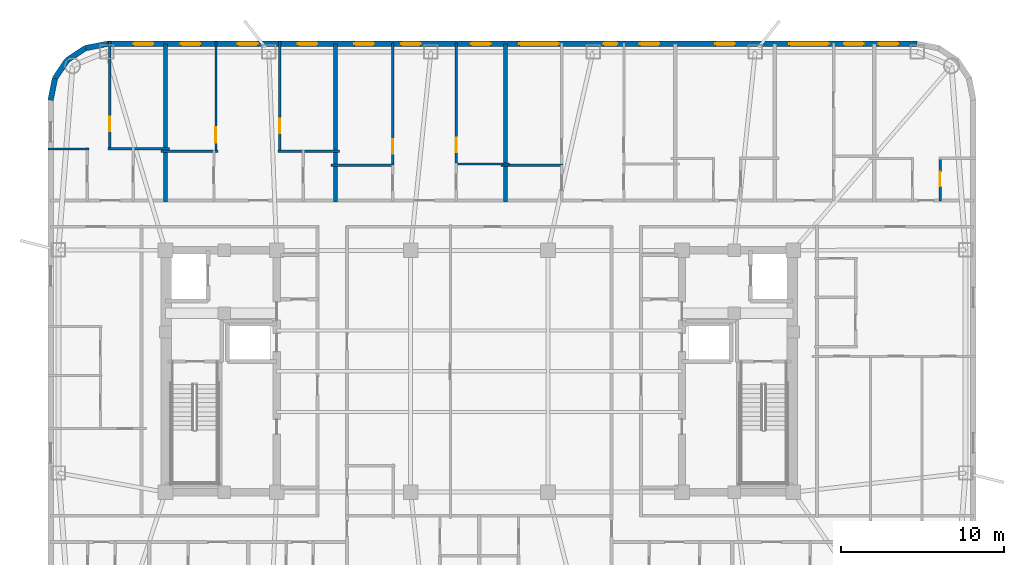
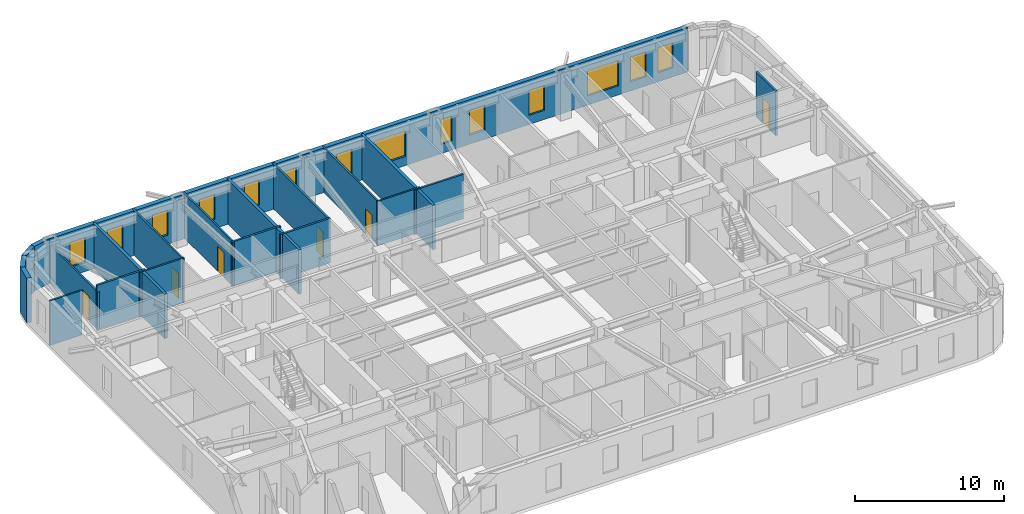
# One storey, part 8 of 11: 21 walls, 14 windows, 6 doors, 20 openings.
"""IFC4 building model written with IfcOpenShell, lengths in metres."""

from ifc_helpers import new_model, si_unit, direction, frame, frame_2d, origin, place, context, subcontext, project, spatial, rectangle, extrude, material, layer, layer_set, type_object, element, fill, save


model = new_model("IFC4")

# Units and contexts
model_context = context("Model", 3, precision=1e-05, world=origin(), true_north=direction((0.0, 1.0)))
body_context = subcontext(model_context, "Body", "Model", "MODEL_VIEW")
ifc_project = project(units=[si_unit("LENGTHUNIT", "METRE"), si_unit("AREAUNIT", "SQUARE_METRE"), si_unit("VOLUMEUNIT", "CUBIC_METRE"), si_unit("PLANEANGLEUNIT", "RADIAN"), si_unit("MASSUNIT", "GRAM", prefix="KILO")], contexts=[model_context])

# Site, building, storey
site_placement = place(None, origin())
site = spatial("IfcSite", under=ifc_project, at=site_placement, CompositionType="ELEMENT")
building_placement = place(site_placement, origin())
building = spatial("IfcBuilding", under=site, at=building_placement, Name="Voryun Gate Residences", CompositionType="ELEMENT")
storey_placement = place(building_placement, frame((0.0, 0.0, 227.5)))
storey = spatial("IfcBuildingStorey", under=building, at=storey_placement, Name="L56", CompositionType="ELEMENT", Elevation=227.5)

# Walls
ifc_material_1 = material(Name="Charcoal terracotta masonry", Category="masonry")
ifc_layer_1 = layer(ifc_material_1, 0.340087890625, Name="W_EXT_TERRACOTTA_340")
ifc_layer_set_1 = layer_set([ifc_layer_1], Name="Charcoal terracotta masonry")
wall_type_1 = type_object("IfcWallType", Name="W_EXT_TERRACOTTA_340", PredefinedType="ELEMENTEDWALL", material=ifc_layer_set_1)
wall_1_placement = place(storey_placement, frame((-26.22998046875, 16.583251953125, 0.0), z_axis=(0.0, 0.0, 1.0), x_axis=(0.195075878998, 0.980788153188, 0.0)))
element("IfcWall", 1, at=wall_1_placement, inside=storey, type_object=wall_type_1, Name="Exterior wall WEXT-L56-07", PredefinedType="ELEMENTEDWALL", context=body_context, shape_type="SweptSolid", body=[
    extrude(rectangle(XDim=1.354248046875, YDim=0.340087890625, at=frame_2d((0.67724609375, 0.0))), origin(), (0.0, 0.0, 1.0), 3.64990234375),
])
for number, where, z_axis, x_axis, name in (
    (2, (-25.9658203125, 17.911376953125, 0.0), (0.0, 0.0, 1.0), (0.555669034571, 0.831403586725, 0.0), "Exterior wall WEXT-L56-08"),
    (3, (-25.222900390625, 19.02294921875, 0.0), (0.0, 0.0, 1.0), (0.831403586725, 0.555669034571, 0.0), "Exterior wall WEXT-L56-09"),
):
    element("IfcWall", number, at=place(storey_placement, frame(where, z_axis=z_axis, x_axis=x_axis)), inside=storey, type_object=wall_type_1, Name=name, PredefinedType="ELEMENTEDWALL", context=body_context, shape_type="SweptSolid", body=[
        extrude(rectangle(XDim=1.3369140625, YDim=0.340087890625, at=frame_2d((0.66845703125, 0.0))), origin(), (0.0, 0.0, 1.0), 3.64990234375),
    ])
wall_2_placement = place(storey_placement, frame((-24.111328125, 19.765869140625, 0.0), z_axis=(0.0, 0.0, 1.0), x_axis=(0.980788153188, 0.195075878998, 0.0)))
element("IfcWall", 4, at=wall_2_placement, inside=storey, type_object=wall_type_1, Name="Exterior wall WEXT-L56-10", PredefinedType="ELEMENTEDWALL", context=body_context, shape_type="SweptSolid", body=[
    extrude(rectangle(XDim=1.354248046875, YDim=0.340087890625, at=frame_2d((0.67724609375, 0.0))), origin(), (0.0, 0.0, 1.0), 3.64990234375),
])

# Wall, openings, windows
wall_3_placement = place(storey_placement, frame((-22.783203125, 20.030029296875, 0.0), z_axis=(0.0, 0.0, 1.0), x_axis=(1.0, 0.0, 0.0)))
wall_3 = element("IfcWall", 5, at=wall_3_placement, inside=storey, type_object=wall_type_1, Name="Exterior wall WEXT-L56-11", PredefinedType="ELEMENTEDWALL", context=body_context, shape_type="SweptSolid", body=[
    extrude(rectangle(XDim=49.56640625, YDim=0.340087890625, at=frame_2d((24.783203125, 0.0))), origin(), (0.0, 0.0, 1.0), 3.64990234375),
])
opening_1_placement = place(wall_3_placement, frame((25.2333984375, 0.0, 0.75)))
opening_1 = element("IfcOpeningElement", 6, at=opening_1_placement, cuts=wall_3, Name="Opening WN2", PredefinedType="OPENING", context=body_context, shape_type="SweptSolid", body=[
    extrude(rectangle(XDim=2.39990234375, YDim=2.10009765625, at=frame_2d((1.199951171875, 1.050048828125))), frame((0.0, 0.179931640625, 0.0), z_axis=(0.0, -1.0, 0.0), x_axis=(1.0, 0.0, 0.0)), (0.0, 0.0, 1.0), 0.360107421875),
])
opening_2_placement = place(wall_3_placement, frame((41.755615234375, 0.0, 0.75)))
opening_2 = element("IfcOpeningElement", 7, at=opening_2_placement, cuts=wall_3, Name="Opening WN2", PredefinedType="OPENING", context=body_context, shape_type="SweptSolid", body=[
    extrude(rectangle(XDim=2.39990234375, YDim=2.10009765625, at=frame_2d((1.199951171875, 1.050048828125))), frame((0.0, 0.179931640625, 0.0), z_axis=(0.0, -1.0, 0.0), x_axis=(1.0, 0.0, 0.0)), (0.0, 0.0, 1.0), 0.360107421875),
])
opening_3_placement = place(wall_3_placement, frame((1.63671875, 0.0, 0.75)))
opening_3 = element("IfcOpeningElement", 8, at=opening_3_placement, cuts=wall_3, Name="Opening WN6", PredefinedType="OPENING", context=body_context, shape_type="SweptSolid", body=[
    extrude(rectangle(XDim=1.199951171875, YDim=2.050048828125, at=frame_2d((0.60009765625, 1.02490234375))), frame((0.0, 0.179931640625, 0.0), z_axis=(0.0, -1.0, 0.0), x_axis=(1.0, 0.0, 0.0)), (0.0, 0.0, 1.0), 0.360107421875),
])
opening_4_placement = place(wall_3_placement, frame((8.019287109375, 0.0, 0.75)))
opening_4 = element("IfcOpeningElement", 9, at=opening_4_placement, cuts=wall_3, Name="Opening WN6", PredefinedType="OPENING", context=body_context, shape_type="SweptSolid", body=[
    extrude(rectangle(XDim=1.199951171875, YDim=2.050048828125, at=frame_2d((0.60009765625, 1.02490234375))), frame((0.0, 0.179931640625, 0.0), z_axis=(0.0, -1.0, 0.0), x_axis=(1.0, 0.0, 0.0)), (0.0, 0.0, 1.0), 0.360107421875),
])
opening_5_placement = place(wall_3_placement, frame((4.5244140625, 0.0, 0.75)))
opening_5 = element("IfcOpeningElement", 10, at=opening_5_placement, cuts=wall_3, Name="Opening WN6", PredefinedType="OPENING", context=body_context, shape_type="SweptSolid", body=[
    extrude(rectangle(XDim=1.199951171875, YDim=2.050048828125, at=frame_2d((0.60009765625, 1.02490234375))), frame((0.0, 0.179931640625, 0.0), z_axis=(0.0, -1.0, 0.0), x_axis=(1.0, 0.0, 0.0)), (0.0, 0.0, 1.0), 0.360107421875),
])
opening_6_placement = place(wall_3_placement, frame((11.67822265625, 0.0, 0.75)))
opening_6 = element("IfcOpeningElement", 11, at=opening_6_placement, cuts=wall_3, Name="Opening WN6", PredefinedType="OPENING", context=body_context, shape_type="SweptSolid", body=[
    extrude(rectangle(XDim=1.199951171875, YDim=2.050048828125, at=frame_2d((0.60009765625, 1.02490234375))), frame((0.0, 0.179931640625, 0.0), z_axis=(0.0, -1.0, 0.0), x_axis=(1.0, 0.0, 0.0)), (0.0, 0.0, 1.0), 0.360107421875),
])
opening_7_placement = place(wall_3_placement, frame((17.993408203125, 0.0, 0.75)))
opening_7 = element("IfcOpeningElement", 12, at=opening_7_placement, cuts=wall_3, Name="Opening WN6", PredefinedType="OPENING", context=body_context, shape_type="SweptSolid", body=[
    extrude(rectangle(XDim=1.199951171875, YDim=2.050048828125, at=frame_2d((0.60009765625, 1.02490234375))), frame((0.0, 0.179931640625, 0.0), z_axis=(0.0, -1.0, 0.0), x_axis=(1.0, 0.0, 0.0)), (0.0, 0.0, 1.0), 0.360107421875),
])
opening_8_placement = place(wall_3_placement, frame((15.13818359375, 0.0, 0.75)))
opening_8 = element("IfcOpeningElement", 13, at=opening_8_placement, cuts=wall_3, Name="Opening WN6", PredefinedType="OPENING", context=body_context, shape_type="SweptSolid", body=[
    extrude(rectangle(XDim=1.199951171875, YDim=2.050048828125, at=frame_2d((0.60009765625, 1.02490234375))), frame((0.0, 0.179931640625, 0.0), z_axis=(0.0, -1.0, 0.0), x_axis=(1.0, 0.0, 0.0)), (0.0, 0.0, 1.0), 0.360107421875),
])
opening_9_placement = place(wall_3_placement, frame((22.2783203125, 0.0, 0.75)))
opening_9 = element("IfcOpeningElement", 14, at=opening_9_placement, cuts=wall_3, Name="Opening WN6", PredefinedType="OPENING", context=body_context, shape_type="SweptSolid", body=[
    extrude(rectangle(XDim=1.199951171875, YDim=2.050048828125, at=frame_2d((0.60009765625, 1.02490234375))), frame((0.0, 0.179931640625, 0.0), z_axis=(0.0, -1.0, 0.0), x_axis=(1.0, 0.0, 0.0)), (0.0, 0.0, 1.0), 0.360107421875),
])
opening_10_placement = place(wall_3_placement, frame((30.38427734375, 0.0, 0.75)))
opening_10 = element("IfcOpeningElement", 15, at=opening_10_placement, cuts=wall_3, Name="Opening WN9", PredefinedType="OPENING", context=body_context, shape_type="SweptSolid", body=[
    extrude(rectangle(XDim=0.85009765625, YDim=2.050048828125, at=frame_2d((0.425048828125, 1.02490234375))), frame((0.0, 0.179931640625, 0.0), z_axis=(0.0, -1.0, 0.0), x_axis=(1.0, 0.0, 0.0)), (0.0, 0.0, 1.0), 0.360107421875),
])
opening_11_placement = place(wall_3_placement, frame((32.603271484375, 0.0, 0.75)))
opening_11 = element("IfcOpeningElement", 16, at=opening_11_placement, cuts=wall_3, Name="Opening WN6", PredefinedType="OPENING", context=body_context, shape_type="SweptSolid", body=[
    extrude(rectangle(XDim=1.199951171875, YDim=2.050048828125, at=frame_2d((0.60009765625, 1.02490234375))), frame((0.0, 0.179931640625, 0.0), z_axis=(0.0, -1.0, 0.0), x_axis=(1.0, 0.0, 0.0)), (0.0, 0.0, 1.0), 0.360107421875),
])
opening_12_placement = place(wall_3_placement, frame((37.222900390625, 0.0, 0.75)))
opening_12 = element("IfcOpeningElement", 17, at=opening_12_placement, cuts=wall_3, Name="Opening WN6", PredefinedType="OPENING", context=body_context, shape_type="SweptSolid", body=[
    extrude(rectangle(XDim=1.199951171875, YDim=2.050048828125, at=frame_2d((0.60009765625, 1.02490234375))), frame((0.0, 0.179931640625, 0.0), z_axis=(0.0, -1.0, 0.0), x_axis=(1.0, 0.0, 0.0)), (0.0, 0.0, 1.0), 0.360107421875),
])
opening_13_placement = place(wall_3_placement, frame((45.098876953125, 0.0, 0.75)))
opening_13 = element("IfcOpeningElement", 18, at=opening_13_placement, cuts=wall_3, Name="Opening WN6", PredefinedType="OPENING", context=body_context, shape_type="SweptSolid", body=[
    extrude(rectangle(XDim=1.199951171875, YDim=2.050048828125, at=frame_2d((0.60009765625, 1.02490234375))), frame((0.0, 0.179931640625, 0.0), z_axis=(0.0, -1.0, 0.0), x_axis=(1.0, 0.0, 0.0)), (0.0, 0.0, 1.0), 0.360107421875),
])
opening_14_placement = place(wall_3_placement, frame((47.208984375, 0.0, 0.75)))
opening_14 = element("IfcOpeningElement", 19, at=opening_14_placement, cuts=wall_3, Name="Opening WN6", PredefinedType="OPENING", context=body_context, shape_type="SweptSolid", body=[
    extrude(rectangle(XDim=1.199951171875, YDim=2.050048828125, at=frame_2d((0.60009765625, 1.02490234375))), frame((0.0, 0.179931640625, 0.0), z_axis=(0.0, -1.0, 0.0), x_axis=(1.0, 0.0, 0.0)), (0.0, 0.0, 1.0), 0.360107421875),
])
ifc_material_2 = material(Name="Laminated low-E glass", Category="glass")
window_type_1 = type_object("IfcWindowType", Name="WN_POD_SLOT_1200", PartitioningType="SINGLE_PANEL", PredefinedType="WINDOW", material=ifc_material_2)
window_1_placement = place(opening_3_placement, origin())
window_1 = element("IfcWindow", 20, at=window_1_placement, inside=storey, type_object=window_type_1, Name="Window WN-L56-DWFIX-02", OverallHeight=2.050048828125, OverallWidth=1.199951171875, PartitioningType="SINGLE_PANEL", PredefinedType="WINDOW", context=body_context, shape_type="SweptSolid", body=[
    extrude(rectangle(XDim=1.199951171875, YDim=2.050048828125, at=frame_2d((0.60009765625, 1.02490234375))), frame((0.0, 0.030029296875, 0.0), z_axis=(0.0, -1.0, 0.0), x_axis=(1.0, 0.0, 0.0)), (0.0, 0.0, 1.0), 0.06005859375),
])
fill(opening_3, window_1)
window_2_placement = place(opening_4_placement, origin())
window_2 = element("IfcWindow", 21, at=window_2_placement, inside=storey, type_object=window_type_1, Name="Window WN-L56-DWFIX-03", OverallHeight=2.050048828125, OverallWidth=1.199951171875, PartitioningType="SINGLE_PANEL", PredefinedType="WINDOW", context=body_context, shape_type="SweptSolid", body=[
    extrude(rectangle(XDim=1.199951171875, YDim=2.050048828125, at=frame_2d((0.60009765625, 1.02490234375))), frame((0.0, 0.030029296875, 0.0), z_axis=(0.0, -1.0, 0.0), x_axis=(1.0, 0.0, 0.0)), (0.0, 0.0, 1.0), 0.06005859375),
])
fill(opening_4, window_2)
window_3_placement = place(opening_5_placement, origin())
window_3 = element("IfcWindow", 22, at=window_3_placement, inside=storey, type_object=window_type_1, Name="Window WN-L56-DWFIX-04", OverallHeight=2.050048828125, OverallWidth=1.199951171875, PartitioningType="SINGLE_PANEL", PredefinedType="WINDOW", context=body_context, shape_type="SweptSolid", body=[
    extrude(rectangle(XDim=1.199951171875, YDim=2.050048828125, at=frame_2d((0.60009765625, 1.02490234375))), frame((0.0, 0.030029296875, 0.0), z_axis=(0.0, -1.0, 0.0), x_axis=(1.0, 0.0, 0.0)), (0.0, 0.0, 1.0), 0.06005859375),
])
fill(opening_5, window_3)
window_4_placement = place(opening_6_placement, origin())
window_4 = element("IfcWindow", 23, at=window_4_placement, inside=storey, type_object=window_type_1, Name="Window WN-L56-DWFIX-05", OverallHeight=2.050048828125, OverallWidth=1.199951171875, PartitioningType="SINGLE_PANEL", PredefinedType="WINDOW", context=body_context, shape_type="SweptSolid", body=[
    extrude(rectangle(XDim=1.199951171875, YDim=2.050048828125, at=frame_2d((0.60009765625, 1.02490234375))), frame((0.0, 0.030029296875, 0.0), z_axis=(0.0, -1.0, 0.0), x_axis=(1.0, 0.0, 0.0)), (0.0, 0.0, 1.0), 0.06005859375),
])
fill(opening_6, window_4)
window_5_placement = place(opening_7_placement, origin())
window_5 = element("IfcWindow", 24, at=window_5_placement, inside=storey, type_object=window_type_1, Name="Window WN-L56-DWFIX-06", OverallHeight=2.050048828125, OverallWidth=1.199951171875, PartitioningType="SINGLE_PANEL", PredefinedType="WINDOW", context=body_context, shape_type="SweptSolid", body=[
    extrude(rectangle(XDim=1.199951171875, YDim=2.050048828125, at=frame_2d((0.60009765625, 1.02490234375))), frame((0.0, 0.030029296875, 0.0), z_axis=(0.0, -1.0, 0.0), x_axis=(1.0, 0.0, 0.0)), (0.0, 0.0, 1.0), 0.06005859375),
])
fill(opening_7, window_5)
window_6_placement = place(opening_8_placement, origin())
window_6 = element("IfcWindow", 25, at=window_6_placement, inside=storey, type_object=window_type_1, Name="Window WN-L56-DWFIX-07", OverallHeight=2.050048828125, OverallWidth=1.199951171875, PartitioningType="SINGLE_PANEL", PredefinedType="WINDOW", context=body_context, shape_type="SweptSolid", body=[
    extrude(rectangle(XDim=1.199951171875, YDim=2.050048828125, at=frame_2d((0.60009765625, 1.02490234375))), frame((0.0, 0.030029296875, 0.0), z_axis=(0.0, -1.0, 0.0), x_axis=(1.0, 0.0, 0.0)), (0.0, 0.0, 1.0), 0.06005859375),
])
fill(opening_8, window_6)
window_7_placement = place(opening_9_placement, origin())
window_7 = element("IfcWindow", 26, at=window_7_placement, inside=storey, type_object=window_type_1, Name="Window WN-L56-DWFIX-08", OverallHeight=2.050048828125, OverallWidth=1.199951171875, PartitioningType="SINGLE_PANEL", PredefinedType="WINDOW", context=body_context, shape_type="SweptSolid", body=[
    extrude(rectangle(XDim=1.199951171875, YDim=2.050048828125, at=frame_2d((0.60009765625, 1.02490234375))), frame((0.0, 0.030029296875, 0.0), z_axis=(0.0, -1.0, 0.0), x_axis=(1.0, 0.0, 0.0)), (0.0, 0.0, 1.0), 0.06005859375),
])
fill(opening_9, window_7)
window_8_placement = place(opening_11_placement, origin())
window_8 = element("IfcWindow", 27, at=window_8_placement, inside=storey, type_object=window_type_1, Name="Window WN-L56-DWFIX-10", OverallHeight=2.050048828125, OverallWidth=1.199951171875, PartitioningType="SINGLE_PANEL", PredefinedType="WINDOW", context=body_context, shape_type="SweptSolid", body=[
    extrude(rectangle(XDim=1.199951171875, YDim=2.050048828125, at=frame_2d((0.60009765625, 1.02490234375))), frame((0.0, 0.030029296875, 0.0), z_axis=(0.0, -1.0, 0.0), x_axis=(1.0, 0.0, 0.0)), (0.0, 0.0, 1.0), 0.06005859375),
])
fill(opening_11, window_8)
window_9_placement = place(opening_12_placement, origin())
window_9 = element("IfcWindow", 28, at=window_9_placement, inside=storey, type_object=window_type_1, Name="Window WN-L56-DWFIX-11", OverallHeight=2.050048828125, OverallWidth=1.199951171875, PartitioningType="SINGLE_PANEL", PredefinedType="WINDOW", context=body_context, shape_type="SweptSolid", body=[
    extrude(rectangle(XDim=1.199951171875, YDim=2.050048828125, at=frame_2d((0.60009765625, 1.02490234375))), frame((0.0, 0.030029296875, 0.0), z_axis=(0.0, -1.0, 0.0), x_axis=(1.0, 0.0, 0.0)), (0.0, 0.0, 1.0), 0.06005859375),
])
fill(opening_12, window_9)
window_10_placement = place(opening_13_placement, origin())
window_10 = element("IfcWindow", 29, at=window_10_placement, inside=storey, type_object=window_type_1, Name="Window WN-L56-DWFIX-12", OverallHeight=2.050048828125, OverallWidth=1.199951171875, PartitioningType="SINGLE_PANEL", PredefinedType="WINDOW", context=body_context, shape_type="SweptSolid", body=[
    extrude(rectangle(XDim=1.199951171875, YDim=2.050048828125, at=frame_2d((0.60009765625, 1.02490234375))), frame((0.0, 0.030029296875, 0.0), z_axis=(0.0, -1.0, 0.0), x_axis=(1.0, 0.0, 0.0)), (0.0, 0.0, 1.0), 0.06005859375),
])
fill(opening_13, window_10)
window_11_placement = place(opening_14_placement, origin())
window_11 = element("IfcWindow", 30, at=window_11_placement, inside=storey, type_object=window_type_1, Name="Window WN-L56-DWFIX-13", OverallHeight=2.050048828125, OverallWidth=1.199951171875, PartitioningType="SINGLE_PANEL", PredefinedType="WINDOW", context=body_context, shape_type="SweptSolid", body=[
    extrude(rectangle(XDim=1.199951171875, YDim=2.050048828125, at=frame_2d((0.60009765625, 1.02490234375))), frame((0.0, 0.030029296875, 0.0), z_axis=(0.0, -1.0, 0.0), x_axis=(1.0, 0.0, 0.0)), (0.0, 0.0, 1.0), 0.06005859375),
])
fill(opening_14, window_11)
ifc_material_3 = material(Name="Laminated low-E glass", Category="glass")
window_type_2 = type_object("IfcWindowType", Name="WN_RES_CASEMENT_850", PartitioningType="SINGLE_PANEL", PredefinedType="WINDOW", material=ifc_material_3)
window_12_placement = place(opening_10_placement, origin())
window_12 = element("IfcWindow", 31, at=window_12_placement, inside=storey, type_object=window_type_2, Name="Window WN-L56-DWFIX-09", OverallHeight=2.050048828125, OverallWidth=0.85009765625, PartitioningType="SINGLE_PANEL", PredefinedType="WINDOW", context=body_context, shape_type="SweptSolid", body=[
    extrude(rectangle(XDim=0.85009765625, YDim=2.050048828125, at=frame_2d((0.425048828125, 1.02490234375))), frame((0.0, 0.030029296875, 0.0), z_axis=(0.0, -1.0, 0.0), x_axis=(1.0, 0.0, 0.0)), (0.0, 0.0, 1.0), 0.06005859375),
])
fill(opening_10, window_12)
ifc_material_4 = material(Name="Laminated low-E glass", Category="glass")
window_type_3 = type_object("IfcWindowType", Name="WN_RES_WIDE_2400", PartitioningType="SINGLE_PANEL", PredefinedType="WINDOW", material=ifc_material_4)
window_13_placement = place(opening_1_placement, origin())
window_13 = element("IfcWindow", 32, at=window_13_placement, inside=storey, type_object=window_type_3, Name="Window WN-WEXT-L56-11-02", OverallHeight=2.10009765625, OverallWidth=2.39990234375, PartitioningType="SINGLE_PANEL", PredefinedType="WINDOW", context=body_context, shape_type="SweptSolid", body=[
    extrude(rectangle(XDim=2.39990234375, YDim=2.10009765625, at=frame_2d((1.199951171875, 1.050048828125))), frame((0.0, 0.030029296875, 0.0), z_axis=(0.0, -1.0, 0.0), x_axis=(1.0, 0.0, 0.0)), (0.0, 0.0, 1.0), 0.06005859375),
])
fill(opening_1, window_13)
window_14_placement = place(opening_2_placement, origin())
window_14 = element("IfcWindow", 33, at=window_14_placement, inside=storey, type_object=window_type_3, Name="Window WN-WEXT-L56-11-03", OverallHeight=2.10009765625, OverallWidth=2.39990234375, PartitioningType="SINGLE_PANEL", PredefinedType="WINDOW", context=body_context, shape_type="SweptSolid", body=[
    extrude(rectangle(XDim=2.39990234375, YDim=2.10009765625, at=frame_2d((1.199951171875, 1.050048828125))), frame((0.0, 0.030029296875, 0.0), z_axis=(0.0, -1.0, 0.0), x_axis=(1.0, 0.0, 0.0)), (0.0, 0.0, 1.0), 0.06005859375),
])
fill(opening_2, window_14)

# Walls
ifc_material_5 = material(Name="Concrete C40/50", Category="concrete")
ifc_layer_2 = layer(ifc_material_5, 0.219970703125, Name="W_PARTY_ACOUSTIC_220")
ifc_layer_set_2 = layer_set([ifc_layer_2], Name="Concrete C40/50")
wall_type_2 = type_object("IfcWallType", Name="W_PARTY_ACOUSTIC_220", PredefinedType="PARTITIONING", material=ifc_layer_set_2)
for number, where, z_axis, x_axis, name in (
    (34, (-19.199951171875, 10.3701171875, 0.0), (0.0, 0.0, 1.0), (0.0, 1.0, 0.0), "Partition wall WP-L56-NPTY-1"),
    (35, (-8.800048828125, 10.3701171875, 0.0), (0.0, 0.0, 1.0), (0.0, 1.0, 0.0), "Partition wall WP-L56-NPTY-2"),
    (36, (1.60009765625, 10.3701171875, 0.0), (0.0, 0.0, 1.0), (0.0, 1.0, 0.0), "Partition wall WP-L56-NPTY-3"),
):
    element("IfcWall", number, at=place(storey_placement, frame(where, z_axis=z_axis, x_axis=x_axis)), inside=storey, type_object=wall_type_2, Name=name, PredefinedType="PARTITIONING", context=body_context, shape_type="SweptSolid", body=[
        extrude(rectangle(XDim=9.659912109375, YDim=0.219970703125, at=frame_2d((4.830078125, 0.0))), origin(), (0.0, 0.0, 1.0), 3.64990234375),
    ])

# Wall, opening, door
ifc_material_6 = material(Name="Gypsum acoustic partition")
ifc_layer_3 = layer(ifc_material_6, 0.125, Name="W_UNIT_PART_125")
ifc_layer_set_3 = layer_set([ifc_layer_3], Name="Gypsum acoustic partition")
wall_type_3 = type_object("IfcWallType", Name="W_UNIT_PART_125", PredefinedType="PARTITIONING", material=ifc_layer_set_3)
wall_4_placement = place(storey_placement, frame((-22.610107421875, 13.52294921875, 0.0), z_axis=(0.0, 0.0, 1.0), x_axis=(0.0, 1.0, 0.0)))
wall_4 = element("IfcWall", 37, at=wall_4_placement, inside=storey, type_object=wall_type_3, Name="Partition wall WP-L56-N1-OVR", PredefinedType="PARTITIONING", context=body_context, shape_type="SweptSolid", body=[
    extrude(rectangle(XDim=6.656982421875, YDim=0.125, at=frame_2d((3.32861328125, 0.0))), origin(), (0.0, 0.0, 1.0), 3.090087890625),
])
opening_15_placement = place(wall_4_placement, frame((1.147705078125, 0.0, 0.0)))
opening_15 = element("IfcOpeningElement", 38, at=opening_15_placement, cuts=wall_4, Name="Opening D-INT-2", PredefinedType="OPENING", context=body_context, shape_type="SweptSolid", body=[
    extrude(rectangle(XDim=0.89990234375, YDim=2.050048828125, at=frame_2d((0.449951171875, 1.02490234375))), frame((0.0, 0.072509765625, 0.0), z_axis=(0.0, -1.0, 0.0), x_axis=(1.0, 0.0, 0.0)), (0.0, 0.0, 1.0), 0.14501953125),
])
ifc_material_7 = material(Name="Architectural oak veneer")
door_type_1 = type_object("IfcDoorType", Name="DR_INT_BATH_900", OperationType="NOTDEFINED", PredefinedType="DOOR", material=ifc_material_7)
door_1_placement = place(opening_15_placement, origin())
door_1 = element("IfcDoor", 39, at=door_1_placement, inside=storey, type_object=door_type_1, Name="Door DR-L56-N1-DMB", OperationType="SINGLE_SWING_RIGHT", OverallHeight=2.050048828125, OverallWidth=0.89990234375, PredefinedType="DOOR", context=body_context, shape_type="SweptSolid", body=[
    extrude(rectangle(XDim=0.89990234375, YDim=2.050048828125, at=frame_2d((0.449951171875, 1.02490234375))), frame((0.0, 0.02490234375, 0.0), z_axis=(0.0, -1.0, 0.0), x_axis=(1.0, 0.0, 0.0)), (0.0, 0.0, 1.0), 0.050048828125),
])
fill(opening_15, door_1)

# Wall
wall_5_placement = place(storey_placement, frame((-26.3798828125, 13.60302734375, 0.0), z_axis=(0.0, 0.0, 1.0), x_axis=(1.0, 0.0, 0.0)))
element("IfcWall", 40, at=wall_5_placement, inside=storey, type_object=wall_type_3, Name="Partition wall WP-L56-N1-HZK", PredefinedType="PARTITIONING", context=body_context, shape_type="SweptSolid", body=[
    extrude(rectangle(XDim=2.512939453125, YDim=0.125, at=frame_2d((1.25634765625, 0.0))), origin(), (0.0, 0.0, 1.0), 3.64990234375),
])

# Wall, opening, door
wall_6_placement = place(storey_placement, frame((-16.117919921875, 13.3798828125, 0.0), z_axis=(0.0, 0.0, 1.0), x_axis=(0.0, 1.0, 0.0)))
wall_6 = element("IfcWall", 41, at=wall_6_placement, inside=storey, type_object=wall_type_3, Name="Partition wall WP-L56-N2-OVL", PredefinedType="PARTITIONING", context=body_context, shape_type="SweptSolid", body=[
    extrude(rectangle(XDim=6.800048828125, YDim=0.125, at=frame_2d((3.39990234375, 0.0))), origin(), (0.0, 0.0, 1.0), 3.64990234375),
])
opening_16_placement = place(wall_6_placement, frame((0.613037109375, 0.0, 0.0)))
opening_16 = element("IfcOpeningElement", 42, at=opening_16_placement, cuts=wall_6, Name="Opening D-INT-1", PredefinedType="OPENING", context=body_context, shape_type="SweptSolid", body=[
    extrude(rectangle(XDim=0.949951171875, YDim=2.050048828125, at=frame_2d((0.47509765625, 1.02490234375))), frame((0.0, 0.072509765625, 0.0), z_axis=(0.0, -1.0, 0.0), x_axis=(1.0, 0.0, 0.0)), (0.0, 0.0, 1.0), 0.14501953125),
])
ifc_material_8 = material(Name="Architectural oak veneer")
door_type_2 = type_object("IfcDoorType", Name="DR_INT_ROOM_950", OperationType="NOTDEFINED", PredefinedType="DOOR", material=ifc_material_8)
door_2_placement = place(opening_16_placement, origin())
door_2 = element("IfcDoor", 43, at=door_2_placement, inside=storey, type_object=door_type_2, Name="Door DR-L56-N2-DB2", OperationType="SINGLE_SWING_LEFT", OverallHeight=2.050048828125, OverallWidth=0.949951171875, PredefinedType="DOOR", context=body_context, shape_type="SweptSolid", body=[
    extrude(rectangle(XDim=0.949951171875, YDim=2.050048828125, at=frame_2d((0.47509765625, 1.02490234375))), frame((0.0, 0.02490234375, 0.0), z_axis=(0.0, -1.0, 0.0), x_axis=(1.0, 0.0, 0.0)), (0.0, 0.0, 1.0), 0.050048828125),
])
fill(opening_16, door_2)

wall_7_placement = place(storey_placement, frame((-12.2099609375, 13.3798828125, 0.0), z_axis=(0.0, 0.0, 1.0), x_axis=(0.0, 1.0, 0.0)))
wall_7 = element("IfcWall", 44, at=wall_7_placement, inside=storey, type_object=wall_type_3, Name="Partition wall WP-L56-N2-OVR", PredefinedType="PARTITIONING", context=body_context, shape_type="SweptSolid", body=[
    extrude(rectangle(XDim=6.800048828125, YDim=0.125, at=frame_2d((3.39990234375, 0.0))), origin(), (0.0, 0.0, 1.0), 3.64990234375),
])
opening_17_placement = place(wall_7_placement, frame((1.181884765625, 0.0, 0.0)))
opening_17 = element("IfcOpeningElement", 45, at=opening_17_placement, cuts=wall_7, Name="Opening D-INT-2", PredefinedType="OPENING", context=body_context, shape_type="SweptSolid", body=[
    extrude(rectangle(XDim=0.89990234375, YDim=2.050048828125, at=frame_2d((0.449951171875, 1.02490234375))), frame((0.0, 0.072509765625, 0.0), z_axis=(0.0, -1.0, 0.0), x_axis=(1.0, 0.0, 0.0)), (0.0, 0.0, 1.0), 0.14501953125),
])
door_3_placement = place(opening_17_placement, origin())
door_3 = element("IfcDoor", 46, at=door_3_placement, inside=storey, type_object=door_type_1, Name="Door DR-L56-N2-DMB", OperationType="SINGLE_SWING_RIGHT", OverallHeight=2.050048828125, OverallWidth=0.89990234375, PredefinedType="DOOR", context=body_context, shape_type="SweptSolid", body=[
    extrude(rectangle(XDim=0.89990234375, YDim=2.050048828125, at=frame_2d((0.449951171875, 1.02490234375))), frame((0.0, 0.02490234375, 0.0), z_axis=(0.0, -1.0, 0.0), x_axis=(1.0, 0.0, 0.0)), (0.0, 0.0, 1.0), 0.050048828125),
])
fill(opening_17, door_3)

# Walls
wall_8_placement = place(storey_placement, frame((-19.4599609375, 13.4599609375, 0.0), z_axis=(0.0, 0.0, 1.0), x_axis=(1.0, 0.0, 0.0)))
element("IfcWall", 47, at=wall_8_placement, inside=storey, type_object=wall_type_3, Name="Partition wall WP-L56-N2-HZK", PredefinedType="PARTITIONING", context=body_context, shape_type="SweptSolid", body=[
    extrude(rectangle(XDim=3.4619140625, YDim=0.125, at=frame_2d((1.73095703125, 0.0))), origin(), (0.0, 0.0, 1.0), 3.64990234375),
])
wall_9_placement = place(storey_placement, frame((-1.489990234375, 12.68994140625, 0.0), z_axis=(0.0, 0.0, 1.0), x_axis=(1.0, 0.0, 0.0)))
element("IfcWall", 48, at=wall_9_placement, inside=storey, type_object=wall_type_3, Name="Partition wall WP-L56-N3-RHY", PredefinedType="PARTITIONING", context=body_context, shape_type="SweptSolid", body=[
    extrude(rectangle(XDim=3.35009765625, YDim=0.125, at=frame_2d((1.675048828125, 0.0))), origin(), (0.0, 0.0, 1.0), 3.64990234375),
])

# Wall, opening, door
wall_10_placement = place(storey_placement, frame((-1.409912109375, 12.64990234375, 0.0), z_axis=(0.0, 0.0, 1.0), x_axis=(0.0, 1.0, 0.0)))
wall_10 = element("IfcWall", 49, at=wall_10_placement, inside=storey, type_object=wall_type_3, Name="Partition wall WP-L56-N3-RVX2", PredefinedType="PARTITIONING", context=body_context, shape_type="SweptSolid", body=[
    extrude(rectangle(XDim=7.427001953125, YDim=0.125, at=frame_2d((3.71337890625, 0.0))), origin(), (0.0, 0.0, 1.0), 3.64990234375),
])
opening_18_placement = place(wall_10_placement, frame((0.73828125, 0.0, 0.0)))
opening_18 = element("IfcOpeningElement", 50, at=opening_18_placement, cuts=wall_10, Name="Opening D-INT-2", PredefinedType="OPENING", context=body_context, shape_type="SweptSolid", body=[
    extrude(rectangle(XDim=0.89990234375, YDim=2.050048828125, at=frame_2d((0.449951171875, 1.02490234375))), frame((0.0, 0.072509765625, 0.0), z_axis=(0.0, -1.0, 0.0), x_axis=(1.0, 0.0, 0.0)), (0.0, 0.0, 1.0), 0.14501953125),
])
door_4_placement = place(opening_18_placement, origin())
door_4 = element("IfcDoor", 51, at=door_4_placement, inside=storey, type_object=door_type_1, Name="Door DR-L56-N3-DB2", OperationType="SINGLE_SWING_LEFT", OverallHeight=2.050048828125, OverallWidth=0.89990234375, PredefinedType="DOOR", context=body_context, shape_type="SweptSolid", body=[
    extrude(rectangle(XDim=0.89990234375, YDim=2.050048828125, at=frame_2d((0.449951171875, 1.02490234375))), frame((0.0, 0.02490234375, 0.0), z_axis=(0.0, -1.0, 0.0), x_axis=(1.0, 0.0, 0.0)), (0.0, 0.0, 1.0), 0.050048828125),
])
fill(opening_18, door_4)

# Walls
ifc_material_9 = material(Name="Gypsum moisture-resistant partition")
ifc_layer_4 = layer(ifc_material_9, 0.14990234375, Name="W_WET_PLUMB_150")
ifc_layer_set_4 = layer_set([ifc_layer_4], Name="Gypsum moisture-resistant partition")
wall_type_4 = type_object("IfcWallType", Name="W_WET_PLUMB_150", PredefinedType="PLUMBINGWALL", material=ifc_layer_set_4)
for number, where, z_axis, x_axis, name in (
    (52, (-22.72998046875, 13.60302734375, 0.0), (0.0, 0.0, 1.0), (1.0, 0.0, 0.0), "Partition wall WP-L56-N1-HZB"),
    (53, (-12.330078125, 13.4599609375, 0.0), (0.0, 0.0, 1.0), (1.0, 0.0, 0.0), "Partition wall WP-L56-N2-HZB"),
):
    element("IfcWall", number, at=place(storey_placement, frame(where, z_axis=z_axis, x_axis=x_axis)), inside=storey, type_object=wall_type_4, Name=name, PredefinedType="PLUMBINGWALL", context=body_context, shape_type="SweptSolid", body=[
        extrude(rectangle(XDim=3.7900390625, YDim=0.14990234375, at=frame_2d((1.89501953125, 0.0))), origin(), (0.0, 0.0, 1.0), 3.64990234375),
    ])
wall_11_placement = place(storey_placement, frame((-9.06005859375, 12.590087890625, 0.0), z_axis=(0.0, 0.0, 1.0), x_axis=(1.0, 0.0, 0.0)))
element("IfcWall", 54, at=wall_11_placement, inside=storey, type_object=wall_type_4, Name="Partition wall WP-L56-N3-LHY", PredefinedType="PLUMBINGWALL", context=body_context, shape_type="SweptSolid", body=[
    extrude(rectangle(XDim=3.85009765625, YDim=0.14990234375, at=frame_2d((1.925048828125, 0.0))), origin(), (0.0, 0.0, 1.0), 3.64990234375),
])

# Wall, opening, door
wall_12_placement = place(storey_placement, frame((-5.2900390625, 12.550048828125, 0.0), z_axis=(0.0, 0.0, 1.0), x_axis=(0.0, 1.0, 0.0)))
wall_12 = element("IfcWall", 55, at=wall_12_placement, inside=storey, type_object=wall_type_4, Name="Partition wall WP-L56-N3-LVX2", PredefinedType="PLUMBINGWALL", context=body_context, shape_type="SweptSolid", body=[
    extrude(rectangle(XDim=7.52685546875, YDim=0.14990234375, at=frame_2d((3.763427734375, 0.0))), origin(), (0.0, 0.0, 1.0), 3.64990234375),
])
opening_19_placement = place(wall_12_placement, frame((0.75439453125, 0.0, 0.0)))
opening_19 = element("IfcOpeningElement", 56, at=opening_19_placement, cuts=wall_12, Name="Opening D-INT-2", PredefinedType="OPENING", context=body_context, shape_type="SweptSolid", body=[
    extrude(rectangle(XDim=0.89990234375, YDim=2.050048828125, at=frame_2d((0.449951171875, 1.02490234375))), frame((0.0, 0.0849609375, 0.0), z_axis=(0.0, -1.0, 0.0), x_axis=(1.0, 0.0, 0.0)), (0.0, 0.0, 1.0), 0.169921875),
])
door_5_placement = place(opening_19_placement, origin())
door_5 = element("IfcDoor", 57, at=door_5_placement, inside=storey, type_object=door_type_1, Name="Door DR-L56-N3-DMB", OperationType="SINGLE_SWING_RIGHT", OverallHeight=2.050048828125, OverallWidth=0.89990234375, PredefinedType="DOOR", context=body_context, shape_type="SweptSolid", body=[
    extrude(rectangle(XDim=0.89990234375, YDim=2.050048828125, at=frame_2d((0.449951171875, 1.02490234375))), frame((0.0, 0.02490234375, 0.0), z_axis=(0.0, -1.0, 0.0), x_axis=(1.0, 0.0, 0.0)), (0.0, 0.0, 1.0), 0.050048828125),
])
fill(opening_19, door_5)

# Wall
wall_13_placement = place(storey_placement, frame((1.340087890625, 12.590087890625, 0.0), z_axis=(0.0, 0.0, 1.0), x_axis=(1.0, 0.0, 0.0)))
element("IfcWall", 58, at=wall_13_placement, inside=storey, type_object=wall_type_4, Name="Partition wall WP-L56-N4-LHY", PredefinedType="PLUMBINGWALL", context=body_context, shape_type="SweptSolid", body=[
    extrude(rectangle(XDim=3.7919921875, YDim=0.14990234375, at=frame_2d((1.89599609375, 0.0))), origin(), (0.0, 0.0, 1.0), 3.64990234375),
])

# Wall, opening, door
wall_14_placement = place(storey_placement, frame((28.18994140625, 10.429931640625, 0.0), z_axis=(0.0, 0.0, 1.0), x_axis=(0.0, 1.0, 0.0)))
wall_14 = element("IfcWall", 59, at=wall_14_placement, inside=storey, type_object=wall_type_4, Name="Partition wall WP-L56-N7-CVB", PredefinedType="PLUMBINGWALL", context=body_context, shape_type="SweptSolid", body=[
    extrude(rectangle(XDim=2.650146484375, YDim=0.14990234375, at=frame_2d((1.3251953125, 0.0))), origin(), (0.0, 0.0, 1.0), 3.64990234375),
])
opening_20_placement = place(wall_14_placement, frame((0.875, 0.0, 0.0)))
opening_20 = element("IfcOpeningElement", 60, at=opening_20_placement, cuts=wall_14, Name="Opening D-INT-2", PredefinedType="OPENING", context=body_context, shape_type="SweptSolid", body=[
    extrude(rectangle(XDim=0.89990234375, YDim=2.050048828125, at=frame_2d((0.449951171875, 1.02490234375))), frame((0.0, 0.0849609375, 0.0), z_axis=(0.0, -1.0, 0.0), x_axis=(1.0, 0.0, 0.0)), (0.0, 0.0, 1.0), 0.169921875),
])
door_6_placement = place(opening_20_placement, origin())
door_6 = element("IfcDoor", 61, at=door_6_placement, inside=storey, type_object=door_type_1, Name="Door DR-L56-N7-DB", OperationType="SINGLE_SWING_RIGHT", OverallHeight=2.050048828125, OverallWidth=0.89990234375, PredefinedType="DOOR", context=body_context, shape_type="SweptSolid", body=[
    extrude(rectangle(XDim=0.89990234375, YDim=2.050048828125, at=frame_2d((0.449951171875, 1.02490234375))), frame((0.0, 0.02490234375, 0.0), z_axis=(0.0, -1.0, 0.0), x_axis=(1.0, 0.0, 0.0)), (0.0, 0.0, 1.0), 0.050048828125),
])
fill(opening_20, door_6)

save(model, "model.ifc")
